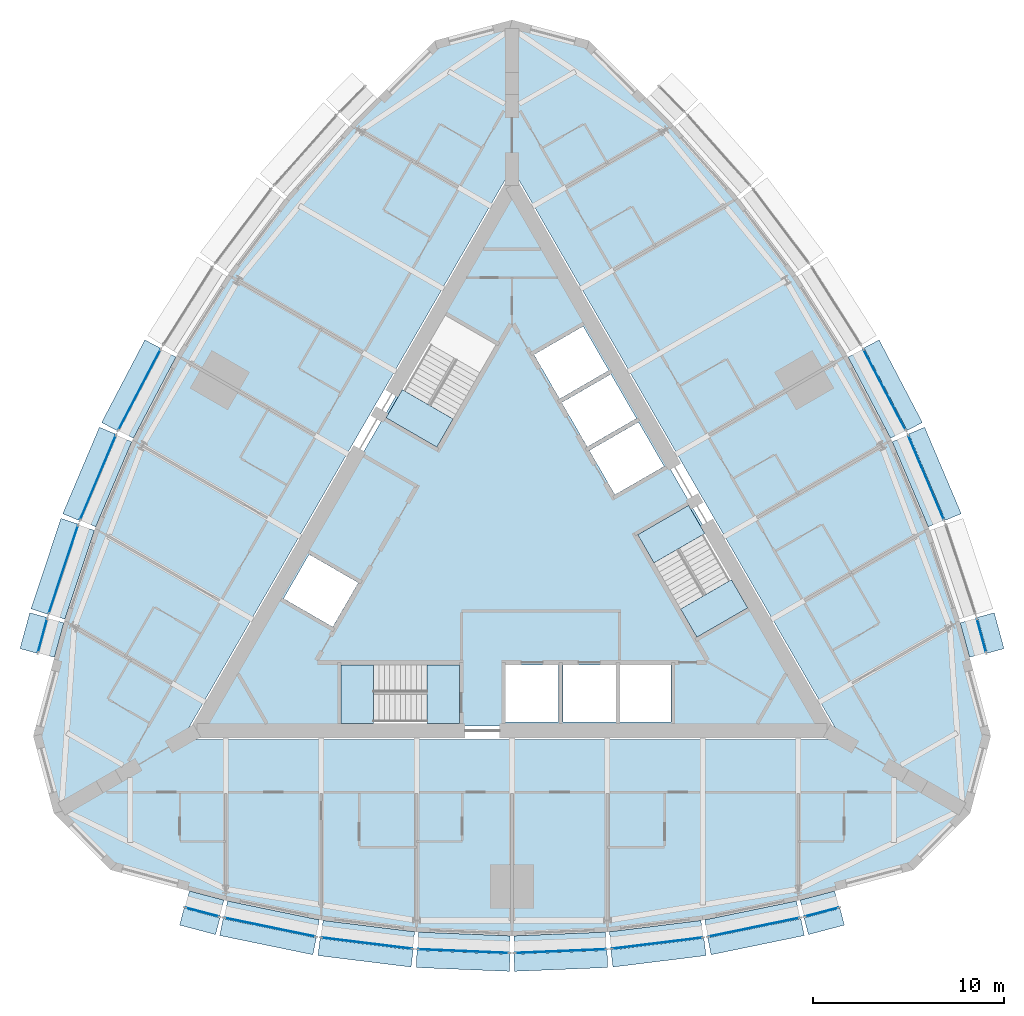
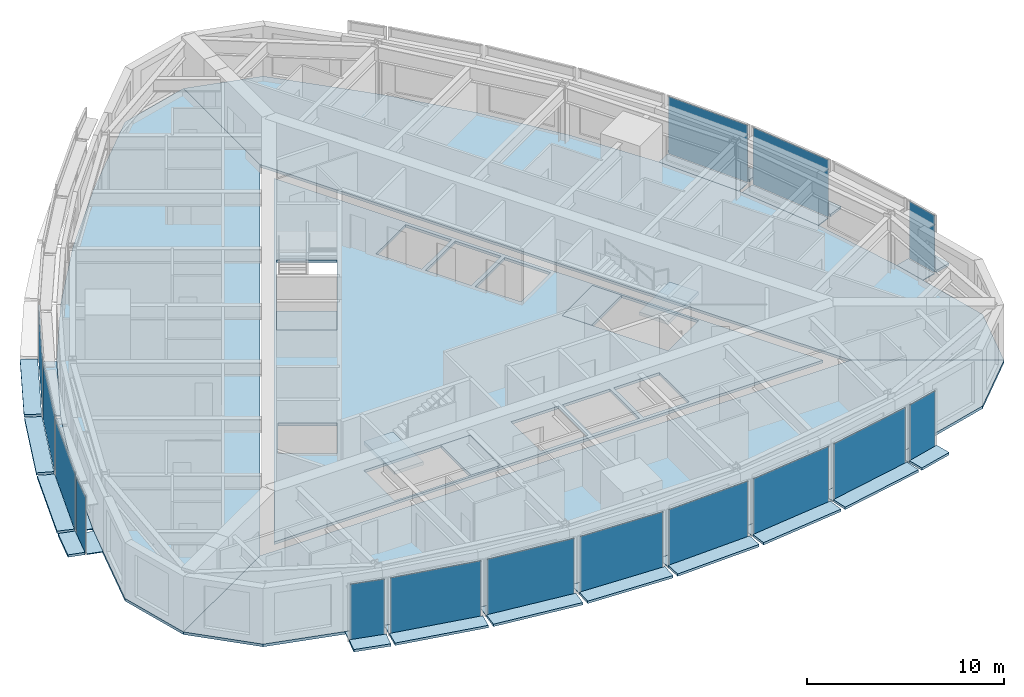
# One storey, part 7 of 15: 45 plates, 9 slabs, 18 elements without a shape of their own.
"""IFC4 building model written with IfcOpenShell, lengths in metres."""

from ifc_helpers import new_model, si_unit, direction, frame, origin, origin_2d, place, context, subcontext, project, spatial, polyline, rectangle, outline, extrude, material, layer, layer_set, type_object, element, aggregate, save


model = new_model("IFC4")

# Units and contexts
model_context = context("Model", 3, precision=1e-05, world=origin(), true_north=direction((0.0, 1.0)))
body_context = subcontext(model_context, "Body", "Model", "MODEL_VIEW")
ifc_project = project(units=[si_unit("LENGTHUNIT", "METRE"), si_unit("AREAUNIT", "SQUARE_METRE"), si_unit("VOLUMEUNIT", "CUBIC_METRE"), si_unit("PLANEANGLEUNIT", "RADIAN"), si_unit("MASSUNIT", "GRAM", prefix="KILO")], contexts=[model_context])

# Site, building, storey
site_placement = place(None, origin())
site = spatial("IfcSite", under=ifc_project, at=site_placement, CompositionType="ELEMENT")
building_placement = place(site_placement, origin())
building = spatial("IfcBuilding", under=site, at=building_placement, Name="Trikona Tower", CompositionType="ELEMENT")
storey_placement = place(building_placement, frame((0.0, 0.0, 204.5)))
storey = spatial("IfcBuildingStorey", under=building, at=storey_placement, Name="L54", CompositionType="ELEMENT", Elevation=204.5)

# Plates
ifc_material_1 = material(Name="Aluminium bar grating", Category="aluminium")
ifc_layer_1 = layer(ifc_material_1, 0.050048828125)
ifc_layer_set_1 = layer_set([ifc_layer_1], Name="Cavity catwalk grating")
plate_type_1 = type_object("IfcPlateType", Name="Cavity catwalk grating", PredefinedType="USERDEFINED", material=ifc_layer_set_1)
plate_1_placement = place(storey_placement, frame((-16.10693359375, -18.5673828125, -0.0498046875), z_axis=(0.0, 0.0, 1.0), x_axis=(0.966993038714, -0.254802792527, 0.0)))
element("IfcPlate", 1, at=plate_1_placement, inside=storey, type_object=plate_type_1, Name="Cavity catwalk L54-00", ObjectType="CATWALK GRATING", PredefinedType="USERDEFINED", context=body_context, shape_type="SweptSolid", body=[
    extrude(rectangle(XDim=1.868408203125, YDim=0.840087890625, at=origin_2d()), origin(), (0.0, 0.0, 1.0), 0.050048828125),
])
plate_2_placement = place(storey_placement, frame((-12.584716796875, -19.35107421875, -0.0498046875), z_axis=(0.0, 0.0, 1.0), x_axis=(0.979457514864, -0.201650629992, 0.0)))
element("IfcPlate", 2, at=plate_2_placement, inside=storey, type_object=plate_type_1, Name="Cavity catwalk L54-01", ObjectType="CATWALK GRATING", PredefinedType="USERDEFINED", context=body_context, shape_type="SweptSolid", body=[
    extrude(rectangle(XDim=4.90478515625, YDim=0.840087890625, at=origin_2d()), origin(), (0.0, 0.0, 1.0), 0.050048828125),
])
plate_3_placement = place(storey_placement, frame((-7.551513671875, -20.179931640625, -0.0498046875), z_axis=(0.0, 0.0, 1.0), x_axis=(0.992455266199, -0.122607277901, 0.0)))
element("IfcPlate", 3, at=plate_3_placement, inside=storey, type_object=plate_type_1, Name="Cavity catwalk L54-02", ObjectType="CATWALK GRATING", PredefinedType="USERDEFINED", context=body_context, shape_type="SweptSolid", body=[
    extrude(rectangle(XDim=4.837890625, YDim=0.840087890625, at=origin_2d()), origin(), (0.0, 0.0, 1.0), 0.050048828125),
])
for number, where, z_axis, x_axis, name in (
    (4, (-2.517333984375, -20.594482421875, -0.0498046875), (0.0, 0.0, 1.0), (0.999153186307, -0.041144991109, 0.0), "Cavity catwalk L54-03"),
    (5, (2.517333984375, -20.594482421875, -0.0498046875), (0.0, 0.0, 1.0), (0.999153186307, 0.041144991109, 0.0), "Cavity catwalk L54-04"),
):
    element("IfcPlate", number, at=place(storey_placement, frame(where, z_axis=z_axis, x_axis=x_axis)), inside=storey, type_object=plate_type_1, Name=name, ObjectType="CATWALK GRATING", PredefinedType="USERDEFINED", context=body_context, shape_type="SweptSolid", body=[
        extrude(rectangle(XDim=4.80419921875, YDim=0.840087890625, at=origin_2d()), origin(), (0.0, 0.0, 1.0), 0.050048828125),
    ])
plate_4_placement = place(storey_placement, frame((7.551513671875, -20.179931640625, -0.0498046875), z_axis=(0.0, 0.0, 1.0), x_axis=(0.992455266199, 0.122607277901, 0.0)))
element("IfcPlate", 6, at=plate_4_placement, inside=storey, type_object=plate_type_1, Name="Cavity catwalk L54-05", ObjectType="CATWALK GRATING", PredefinedType="USERDEFINED", context=body_context, shape_type="SweptSolid", body=[
    extrude(rectangle(XDim=4.837890625, YDim=0.840087890625, at=origin_2d()), origin(), (0.0, 0.0, 1.0), 0.050048828125),
])
plate_5_placement = place(storey_placement, frame((12.584716796875, -19.35107421875, -0.0498046875), z_axis=(0.0, 0.0, 1.0), x_axis=(0.979457514864, 0.201650629992, 0.0)))
element("IfcPlate", 7, at=plate_5_placement, inside=storey, type_object=plate_type_1, Name="Cavity catwalk L54-06", ObjectType="CATWALK GRATING", PredefinedType="USERDEFINED", context=body_context, shape_type="SweptSolid", body=[
    extrude(rectangle(XDim=4.90478515625, YDim=0.840087890625, at=origin_2d()), origin(), (0.0, 0.0, 1.0), 0.050048828125),
])
for number, where, z_axis, x_axis, name in (
    (8, (16.10693359375, -18.5673828125, -0.0498046875), (0.0, 0.0, 1.0), (0.966993038714, 0.254802792527, 0.0), "Cavity catwalk L54-07"),
    (9, (24.13330078125, -4.665283203125, -0.0498046875), (0.0, 0.0, 1.0), (-0.262822408229, 0.964844226667, 0.0), "Cavity catwalk L54-12"),
):
    element("IfcPlate", number, at=place(storey_placement, frame(where, z_axis=z_axis, x_axis=x_axis)), inside=storey, type_object=plate_type_1, Name=name, ObjectType="CATWALK GRATING", PredefinedType="USERDEFINED", context=body_context, shape_type="SweptSolid", body=[
        extrude(rectangle(XDim=1.868408203125, YDim=0.840087890625, at=origin_2d()), origin(), (0.0, 0.0, 1.0), 0.050048828125),
    ])
plate_6_placement = place(storey_placement, frame((21.252197265625, 3.55029296875, -0.0498046875), z_axis=(0.0, 0.0, 1.0), x_axis=(-0.390051437015, 0.920793069306, 0.0)))
element("IfcPlate", 10, at=plate_6_placement, inside=storey, type_object=plate_type_1, Name="Cavity catwalk L54-14", ObjectType="CATWALK GRATING", PredefinedType="USERDEFINED", context=body_context, shape_type="SweptSolid", body=[
    extrude(rectangle(XDim=4.837890625, YDim=0.840087890625, at=origin_2d()), origin(), (0.0, 0.0, 1.0), 0.050048828125),
])
for number, where, z_axis, x_axis, name in (
    (11, (19.093994140625, 8.1171875, -0.0498046875), (0.0, 0.0, 1.0), (-0.463951716224, 0.885860488459, 0.0), "Cavity catwalk L54-15"),
    (12, (-19.093994140625, 8.1171875, -0.0498046875), (0.0, 0.0, 1.0), (-0.463951716224, -0.885860488459, 0.0), "Cavity catwalk L54-28"),
):
    element("IfcPlate", number, at=place(storey_placement, frame(where, z_axis=z_axis, x_axis=x_axis)), inside=storey, type_object=plate_type_1, Name=name, ObjectType="CATWALK GRATING", PredefinedType="USERDEFINED", context=body_context, shape_type="SweptSolid", body=[
        extrude(rectangle(XDim=4.80419921875, YDim=0.840087890625, at=origin_2d()), origin(), (0.0, 0.0, 1.0), 0.050048828125),
    ])
plate_7_placement = place(storey_placement, frame((-21.252197265625, 3.55029296875, -0.0498046875), z_axis=(0.0, 0.0, 1.0), x_axis=(-0.390051437015, -0.920793069306, 0.0)))
element("IfcPlate", 13, at=plate_7_placement, inside=storey, type_object=plate_type_1, Name="Cavity catwalk L54-29", ObjectType="CATWALK GRATING", PredefinedType="USERDEFINED", context=body_context, shape_type="SweptSolid", body=[
    extrude(rectangle(XDim=4.837890625, YDim=0.840087890625, at=origin_2d()), origin(), (0.0, 0.0, 1.0), 0.050048828125),
])
plate_8_placement = place(storey_placement, frame((-23.05078125, -1.22314453125, -0.0498046875), z_axis=(0.0, 0.0, 1.0), x_axis=(-0.315092532747, -0.949060954737, 0.0)))
element("IfcPlate", 14, at=plate_8_placement, inside=storey, type_object=plate_type_1, Name="Cavity catwalk L54-30", ObjectType="CATWALK GRATING", PredefinedType="USERDEFINED", context=body_context, shape_type="SweptSolid", body=[
    extrude(rectangle(XDim=4.90478515625, YDim=0.840087890625, at=origin_2d()), origin(), (0.0, 0.0, 1.0), 0.050048828125),
])
plate_9_placement = place(storey_placement, frame((-24.13330078125, -4.665283203125, -0.0498046875), z_axis=(0.0, 0.0, 1.0), x_axis=(-0.262822408229, -0.964844226667, 0.0)))
element("IfcPlate", 15, at=plate_9_placement, inside=storey, type_object=plate_type_1, Name="Cavity catwalk L54-31", ObjectType="CATWALK GRATING", PredefinedType="USERDEFINED", context=body_context, shape_type="SweptSolid", body=[
    extrude(rectangle(XDim=1.868408203125, YDim=0.840087890625, at=origin_2d()), origin(), (0.0, 0.0, 1.0), 0.050048828125),
])

# Slabs
ifc_material_2 = material(Name="Concrete f'c 5000 psi lightweight on composite steel deck", Category="concrete")
ifc_layer_2 = layer(ifc_material_2, 0.1650390625)
ifc_layer_set_2 = layer_set([ifc_layer_2], Name="Composite floor slab 165")
slab_type_1 = type_object("IfcSlabType", Name="Composite floor slab 165", PredefinedType="FLOOR", material=ifc_layer_set_2)
slab_1_placement = place(storey_placement, frame((0.0, 0.0, -0.1650390625)))
element("IfcSlab", 16, at=slab_1_placement, inside=storey, type_object=slab_type_1, Name="Floor slab L54 core", PredefinedType="FLOOR", context=body_context, shape_type="SweptSolid", body=[
    extrude(outline(polyline([(-16.06689453125, -9.2763671875), (16.06689453125, -9.2763671875), (0.0, 18.552490234375), (-16.06689453125, -9.2763671875)]), holes=[polyline([(6.587158203125, 0.7431640625), (9.687255859375, -4.626220703125), (12.35009765625, -3.088623046875), (9.250244140625, 2.28076171875), (6.587158203125, 0.7431640625)]), polyline([(5.659912109375, -6.086181640625), (5.659912109375, -9.06640625), (8.340087890625, -9.06640625), (8.340087890625, -6.086181640625), (5.659912109375, -6.086181640625)]), polyline([(6.631591796875, 6.646240234375), (4.05078125, 5.15625), (5.390869140625, 2.835205078125), (7.9716796875, 4.3251953125), (6.631591796875, 6.646240234375)]), polyline([(6.521484375, 6.8369140625), (5.181640625, 9.15771484375), (2.600830078125, 7.667724609375), (3.94091796875, 5.3466796875), (6.521484375, 6.8369140625)]), polyline([(2.659912109375, -9.06640625), (5.43994140625, -9.06640625), (5.43994140625, -6.086181640625), (2.659912109375, -6.086181640625), (2.659912109375, -9.06640625)]), polyline([(2.490966796875, 7.858154296875), (5.071533203125, 9.34814453125), (3.731689453125, 11.669189453125), (1.15087890625, 10.17919921875), (2.490966796875, 7.858154296875)]), polyline([(2.43994140625, -9.06640625), (2.43994140625, -6.086181640625), (-0.340087890625, -6.086181640625), (-0.340087890625, -9.06640625), (2.43994140625, -9.06640625)]), polyline([(-3.937255859375, 5.3330078125), (-0.837158203125, 10.702392578125), (-3.500244140625, 12.239990234375), (-6.60009765625, 6.87060546875), (-3.937255859375, 5.3330078125)]), polyline([(-2.75, -6.076416015625), (-8.949951171875, -6.076416015625), (-8.949951171875, -9.1513671875), (-2.75, -9.1513671875), (-2.75, -6.076416015625)]), polyline([(-11.9716796875, -2.602783203125), (-9.390869140625, -4.093017578125), (-8.05078125, -1.77197265625), (-10.631591796875, -0.281982421875), (-11.9716796875, -2.602783203125)])]), origin(), (0.0, 0.0, 1.0), 0.1650390625),
])
slab_2_placement = place(storey_placement, frame((0.0, 0.0, -0.1650390625)))
element("IfcSlab", 17, at=slab_2_placement, inside=storey, type_object=slab_type_1, Name="Floor slab L54 south", PredefinedType="FLOOR", context=body_context, shape_type="SweptSolid", body=[
    extrude(outline(polyline([(21.04150390625, -16.81494140625), (24.0, -13.8564453125), (17.279296875, -9.976318359375), (-17.279296875, -9.976318359375), (-24.0, -13.8564453125), (-21.04150390625, -16.81494140625), (-17.0, -17.89794921875), (-15.0, -18.4248046875), (-10.0, -19.454345703125), (-5.0, -20.072021484375), (0.0, -20.27783203125), (5.0, -20.072021484375), (10.0, -19.454345703125), (15.0, -18.4248046875), (17.0, -17.89794921875), (21.04150390625, -16.81494140625)])), origin(), (0.0, 0.0, 1.0), 0.1650390625),
])
slab_3_placement = place(storey_placement, frame((0.0, 0.0, -0.1650390625)))
element("IfcSlab", 18, at=slab_3_placement, inside=storey, type_object=slab_type_1, Name="Floor slab L54 north-east", PredefinedType="FLOOR", context=body_context, shape_type="SweptSolid", body=[
    extrude(outline(polyline([(4.04150390625, 26.6298828125), (0.0, 27.712890625), (0.0, 19.95263671875), (17.279296875, -9.976318359375), (24.0, -13.8564453125), (25.0830078125, -9.81494140625), (24.0, -5.7734375), (23.456298828125, -3.77783203125), (21.847900390625, 1.06689453125), (19.8828125, 5.705810546875), (17.56103515625, 10.138916015625), (14.8828125, 14.3662109375), (11.847900390625, 18.387451171875), (8.456298828125, 22.202880859375), (7.0, 23.67138671875), (4.04150390625, 26.6298828125)])), origin(), (0.0, 0.0, 1.0), 0.1650390625),
])
slab_4_placement = place(storey_placement, frame((0.0, 0.0, -0.1650390625)))
element("IfcSlab", 19, at=slab_4_placement, inside=storey, type_object=slab_type_1, Name="Floor slab L54 north-west", PredefinedType="FLOOR", context=body_context, shape_type="SweptSolid", body=[
    extrude(outline(polyline([(-7.0, 23.67138671875), (-8.456298828125, 22.202880859375), (-11.847900390625, 18.387451171875), (-14.8828125, 14.3662109375), (-17.56103515625, 10.138916015625), (-19.8828125, 5.705810546875), (-21.847900390625, 1.06689453125), (-23.456298828125, -3.77783203125), (-24.0, -5.7734375), (-25.0830078125, -9.81494140625), (-24.0, -13.8564453125), (-17.279296875, -9.976318359375), (0.0, 19.95263671875), (0.0, 27.712890625), (-4.04150390625, 26.6298828125), (-7.0, 23.67138671875)])), origin(), (0.0, 0.0, 1.0), 0.1650390625),
])

# Curtain wall, plate
ifc_material_3 = material(Name="Aluminium curtain wall system", Category="aluminium")
curtain_wall_type = type_object("IfcCurtainWallType", Name="Curtain wall DS3", PredefinedType="NOTDEFINED", material=ifc_material_3)
curtain_wall_1_placement = place(storey_placement, origin())
curtain_wall_1 = element("IfcCurtainWall", 20, at=curtain_wall_1_placement, inside=storey, type_object=curtain_wall_type, Name="Curtain wall DS3 L54", PredefinedType="NOTDEFINED")
ifc_material_4 = material(Name="Laminated clear glass", Category="glass")
ifc_layer_3 = layer(ifc_material_4, 0.028076171875)
ifc_layer_set_3 = layer_set([ifc_layer_3], Name="Glass panel DS3")
plate_type_2 = type_object("IfcPlateType", Name="Glass panel DS3", PredefinedType="CURTAIN_PANEL", material=ifc_layer_set_3)
plate_10_placement = place(storey_placement, frame((-16.229248046875, -19.03173828125, 0.0), z_axis=(0.0, 0.0, 1.0), x_axis=(0.966997369647, -0.25478635579, 0.0)))
plate_10 = element("IfcPlate", 21, at=plate_10_placement, type_object=plate_type_2, Name="CW-DS3 panel 1.1", PredefinedType="CURTAIN_PANEL", context=body_context, shape_type="SweptSolid", body=[
    extrude(rectangle(XDim=1.808349609375, YDim=0.028076171875, at=origin_2d()), origin(), (0.0, 0.0, 1.0), 3.530029296875),
])
aggregate(curtain_wall_1, [plate_10])

curtain_wall_2_placement = place(storey_placement, origin())
curtain_wall_2 = element("IfcCurtainWall", 22, at=curtain_wall_2_placement, inside=storey, type_object=curtain_wall_type, Name="Curtain wall DS3 L54", PredefinedType="NOTDEFINED")
plate_11_placement = place(storey_placement, frame((-12.681396484375, -19.821044921875, 0.0), z_axis=(0.0, 0.0, 1.0), x_axis=(0.979457043256, -0.201652920672, 0.0)))
plate_11 = element("IfcPlate", 23, at=plate_11_placement, type_object=plate_type_2, Name="CW-DS3 panel 1.1", PredefinedType="CURTAIN_PANEL", context=body_context, shape_type="SweptSolid", body=[
    extrude(rectangle(XDim=4.8447265625, YDim=0.028076171875, at=origin_2d()), origin(), (0.0, 0.0, 1.0), 3.530029296875),
])
aggregate(curtain_wall_2, [plate_11])

curtain_wall_3_placement = place(storey_placement, origin())
curtain_wall_3 = element("IfcCurtainWall", 24, at=curtain_wall_3_placement, inside=storey, type_object=curtain_wall_type, Name="Curtain wall DS3 L54", PredefinedType="NOTDEFINED")
plate_12_placement = place(storey_placement, frame((-7.6103515625, -20.656494140625, 0.0), z_axis=(0.0, 0.0, 1.0), x_axis=(0.992454850785, -0.122610640458, 0.0)))
plate_12 = element("IfcPlate", 25, at=plate_12_placement, type_object=plate_type_2, Name="CW-DS3 panel 1.1", PredefinedType="CURTAIN_PANEL", context=body_context, shape_type="SweptSolid", body=[
    extrude(rectangle(XDim=4.778076171875, YDim=0.028076171875, at=origin_2d()), origin(), (0.0, 0.0, 1.0), 3.530029296875),
])
aggregate(curtain_wall_3, [plate_12])

curtain_wall_4_placement = place(storey_placement, origin())
curtain_wall_4 = element("IfcCurtainWall", 26, at=curtain_wall_4_placement, inside=storey, type_object=curtain_wall_type, Name="Curtain wall DS3 L54", PredefinedType="NOTDEFINED")
plate_13_placement = place(storey_placement, frame((-2.537109375, -21.07421875, 0.0), z_axis=(0.0, 0.0, 1.0), x_axis=(0.999152865157, -0.04115278907, 0.0)))
plate_13 = element("IfcPlate", 27, at=plate_13_placement, type_object=plate_type_2, Name="CW-DS3 panel 1.1", PredefinedType="CURTAIN_PANEL", context=body_context, shape_type="SweptSolid", body=[
    extrude(rectangle(XDim=4.744140625, YDim=0.028076171875, at=origin_2d()), origin(), (0.0, 0.0, 1.0), 3.530029296875),
])
aggregate(curtain_wall_4, [plate_13])

curtain_wall_5_placement = place(storey_placement, origin())
curtain_wall_5 = element("IfcCurtainWall", 28, at=curtain_wall_5_placement, inside=storey, type_object=curtain_wall_type, Name="Curtain wall DS3 L54", PredefinedType="NOTDEFINED")
plate_14_placement = place(storey_placement, frame((2.537109375, -21.07421875, 0.0), z_axis=(0.0, 0.0, 1.0), x_axis=(0.999152865157, 0.04115278907, 0.0)))
plate_14 = element("IfcPlate", 29, at=plate_14_placement, type_object=plate_type_2, Name="CW-DS3 panel 1.1", PredefinedType="CURTAIN_PANEL", context=body_context, shape_type="SweptSolid", body=[
    extrude(rectangle(XDim=4.744140625, YDim=0.028076171875, at=origin_2d()), origin(), (0.0, 0.0, 1.0), 3.530029296875),
])
aggregate(curtain_wall_5, [plate_14])

curtain_wall_6_placement = place(storey_placement, origin())
curtain_wall_6 = element("IfcCurtainWall", 30, at=curtain_wall_6_placement, inside=storey, type_object=curtain_wall_type, Name="Curtain wall DS3 L54", PredefinedType="NOTDEFINED")
plate_15_placement = place(storey_placement, frame((7.6103515625, -20.656494140625, 0.0), z_axis=(0.0, 0.0, 1.0), x_axis=(0.992454850785, 0.122610640458, 0.0)))
plate_15 = element("IfcPlate", 31, at=plate_15_placement, type_object=plate_type_2, Name="CW-DS3 panel 1.1", PredefinedType="CURTAIN_PANEL", context=body_context, shape_type="SweptSolid", body=[
    extrude(rectangle(XDim=4.778076171875, YDim=0.028076171875, at=origin_2d()), origin(), (0.0, 0.0, 1.0), 3.530029296875),
])
aggregate(curtain_wall_6, [plate_15])

curtain_wall_7_placement = place(storey_placement, origin())
curtain_wall_7 = element("IfcCurtainWall", 32, at=curtain_wall_7_placement, inside=storey, type_object=curtain_wall_type, Name="Curtain wall DS3 L54", PredefinedType="NOTDEFINED")
plate_16_placement = place(storey_placement, frame((12.681396484375, -19.821044921875, 0.0), z_axis=(0.0, 0.0, 1.0), x_axis=(0.979457043256, 0.201652920672, 0.0)))
plate_16 = element("IfcPlate", 33, at=plate_16_placement, type_object=plate_type_2, Name="CW-DS3 panel 1.1", PredefinedType="CURTAIN_PANEL", context=body_context, shape_type="SweptSolid", body=[
    extrude(rectangle(XDim=4.8447265625, YDim=0.028076171875, at=origin_2d()), origin(), (0.0, 0.0, 1.0), 3.530029296875),
])
aggregate(curtain_wall_7, [plate_16])

curtain_wall_8_placement = place(storey_placement, origin())
curtain_wall_8 = element("IfcCurtainWall", 34, at=curtain_wall_8_placement, inside=storey, type_object=curtain_wall_type, Name="Curtain wall DS3 L54", PredefinedType="NOTDEFINED")
plate_17_placement = place(storey_placement, frame((16.229248046875, -19.03173828125, 0.0), z_axis=(0.0, 0.0, 1.0), x_axis=(0.966997369647, 0.25478635579, 0.0)))
plate_17 = element("IfcPlate", 35, at=plate_17_placement, type_object=plate_type_2, Name="CW-DS3 panel 1.1", PredefinedType="CURTAIN_PANEL", context=body_context, shape_type="SweptSolid", body=[
    extrude(rectangle(XDim=1.808349609375, YDim=0.028076171875, at=origin_2d()), origin(), (0.0, 0.0, 1.0), 3.530029296875),
])
aggregate(curtain_wall_8, [plate_17])

curtain_wall_9_placement = place(storey_placement, origin())
curtain_wall_9 = element("IfcCurtainWall", 36, at=curtain_wall_9_placement, inside=storey, type_object=curtain_wall_type, Name="Curtain wall DS3 L54", PredefinedType="NOTDEFINED")
plate_18_placement = place(storey_placement, frame((24.596435546875, -4.539306640625, 0.0), z_axis=(0.0, 0.0, 1.0), x_axis=(-0.262843784676, 0.964838403494, 0.0)))
plate_18 = element("IfcPlate", 37, at=plate_18_placement, type_object=plate_type_2, Name="CW-DS3 panel 1.1", PredefinedType="CURTAIN_PANEL", context=body_context, shape_type="SweptSolid", body=[
    extrude(rectangle(XDim=1.808349609375, YDim=0.028076171875, at=origin_2d()), origin(), (0.0, 0.0, 1.0), 3.530029296875),
])
aggregate(curtain_wall_9, [plate_18])

curtain_wall_10_placement = place(storey_placement, origin())
curtain_wall_10 = element("IfcCurtainWall", 38, at=curtain_wall_10_placement, inside=storey, type_object=curtain_wall_type, Name="Curtain wall DS3 L54", PredefinedType="NOTDEFINED")
plate_19_placement = place(storey_placement, frame((21.694091796875, 3.737548828125, 0.0), z_axis=(0.0, 0.0, 1.0), x_axis=(-0.390053199266, 0.920792322808, 0.0)))
plate_19 = element("IfcPlate", 39, at=plate_19_placement, type_object=plate_type_2, Name="CW-DS3 panel 1.1", PredefinedType="CURTAIN_PANEL", context=body_context, shape_type="SweptSolid", body=[
    extrude(rectangle(XDim=4.778076171875, YDim=0.028076171875, at=origin_2d()), origin(), (0.0, 0.0, 1.0), 3.530029296875),
])
aggregate(curtain_wall_10, [plate_19])

curtain_wall_11_placement = place(storey_placement, origin())
curtain_wall_11 = element("IfcCurtainWall", 40, at=curtain_wall_11_placement, inside=storey, type_object=curtain_wall_type, Name="Curtain wall DS3 L54", PredefinedType="NOTDEFINED")
plate_20_placement = place(storey_placement, frame((19.519287109375, 8.33984375, 0.0), z_axis=(0.0, 0.0, 1.0), x_axis=(-0.463948084434, 0.885862390527, 0.0)))
plate_20 = element("IfcPlate", 41, at=plate_20_placement, type_object=plate_type_2, Name="CW-DS3 panel 1.1", PredefinedType="CURTAIN_PANEL", context=body_context, shape_type="SweptSolid", body=[
    extrude(rectangle(XDim=4.744140625, YDim=0.028076171875, at=origin_2d()), origin(), (0.0, 0.0, 1.0), 3.530029296875),
])
aggregate(curtain_wall_11, [plate_20])

curtain_wall_12_placement = place(storey_placement, origin())
curtain_wall_12 = element("IfcCurtainWall", 42, at=curtain_wall_12_placement, inside=storey, type_object=curtain_wall_type, Name="Curtain wall DS3 L54", PredefinedType="NOTDEFINED")
plate_21_placement = place(storey_placement, frame((-19.519287109375, 8.33984375, 0.0), z_axis=(0.0, 0.0, 1.0), x_axis=(-0.463948084434, -0.885862390527, 0.0)))
plate_21 = element("IfcPlate", 43, at=plate_21_placement, type_object=plate_type_2, Name="CW-DS3 panel 1.1", PredefinedType="CURTAIN_PANEL", context=body_context, shape_type="SweptSolid", body=[
    extrude(rectangle(XDim=4.744140625, YDim=0.028076171875, at=origin_2d()), origin(), (0.0, 0.0, 1.0), 3.530029296875),
])
aggregate(curtain_wall_12, [plate_21])

curtain_wall_13_placement = place(storey_placement, origin())
curtain_wall_13 = element("IfcCurtainWall", 44, at=curtain_wall_13_placement, inside=storey, type_object=curtain_wall_type, Name="Curtain wall DS3 L54", PredefinedType="NOTDEFINED")
plate_22_placement = place(storey_placement, frame((-21.694091796875, 3.737548828125, 0.0), z_axis=(0.0, 0.0, 1.0), x_axis=(-0.390053199266, -0.920792322808, 0.0)))
plate_22 = element("IfcPlate", 45, at=plate_22_placement, type_object=plate_type_2, Name="CW-DS3 panel 1.1", PredefinedType="CURTAIN_PANEL", context=body_context, shape_type="SweptSolid", body=[
    extrude(rectangle(XDim=4.778076171875, YDim=0.028076171875, at=origin_2d()), origin(), (0.0, 0.0, 1.0), 3.530029296875),
])
aggregate(curtain_wall_13, [plate_22])

curtain_wall_14_placement = place(storey_placement, origin())
curtain_wall_14 = element("IfcCurtainWall", 46, at=curtain_wall_14_placement, inside=storey, type_object=curtain_wall_type, Name="Curtain wall DS3 L54", PredefinedType="NOTDEFINED")
plate_23_placement = place(storey_placement, frame((-23.50634765625, -1.072021484375, 0.0), z_axis=(0.0, 0.0, 1.0), x_axis=(-0.315078038687, -0.949065766708, 0.0)))
plate_23 = element("IfcPlate", 47, at=plate_23_placement, type_object=plate_type_2, Name="CW-DS3 panel 1.1", PredefinedType="CURTAIN_PANEL", context=body_context, shape_type="SweptSolid", body=[
    extrude(rectangle(XDim=4.8447265625, YDim=0.028076171875, at=origin_2d()), origin(), (0.0, 0.0, 1.0), 3.530029296875),
])
aggregate(curtain_wall_14, [plate_23])

curtain_wall_15_placement = place(storey_placement, origin())
curtain_wall_15 = element("IfcCurtainWall", 48, at=curtain_wall_15_placement, inside=storey, type_object=curtain_wall_type, Name="Curtain wall DS3 L54", PredefinedType="NOTDEFINED")
plate_24_placement = place(storey_placement, frame((-24.596435546875, -4.539306640625, 0.0), z_axis=(0.0, 0.0, 1.0), x_axis=(-0.262843784676, -0.964838403494, 0.0)))
plate_24 = element("IfcPlate", 49, at=plate_24_placement, type_object=plate_type_2, Name="CW-DS3 panel 1.1", PredefinedType="CURTAIN_PANEL", context=body_context, shape_type="SweptSolid", body=[
    extrude(rectangle(XDim=1.808349609375, YDim=0.028076171875, at=origin_2d()), origin(), (0.0, 0.0, 1.0), 3.530029296875),
])
aggregate(curtain_wall_15, [plate_24])

# Plates
ifc_material_5 = material(Name="Aluminium plate fin, pale anodised, on stainless steel outriggers", Category="steel")
ifc_layer_4 = layer(ifc_material_5, 0.14990234375)
ifc_layer_set_4 = layer_set([ifc_layer_4], Name="Outer skin fin 900")
plate_type_3 = type_object("IfcPlateType", Name="Outer skin fin 900", PredefinedType="USERDEFINED", material=ifc_layer_set_4)
plate_25_placement = place(storey_placement, frame((-16.359375, -19.52490234375, 0.0), z_axis=(0.0, 0.0, 1.0), x_axis=(0.966993038714, -0.254802792527, 0.0)))
element("IfcPlate", 50, at=plate_25_placement, inside=storey, type_object=plate_type_3, Name="Outer skin fin L54-00", ObjectType="FIN", PredefinedType="USERDEFINED", context=body_context, shape_type="SweptSolid", body=[
    extrude(rectangle(XDim=1.9482421875, YDim=0.89990234375, at=origin_2d()), origin(), (0.0, 0.0, 1.0), 0.14990234375),
])
plate_26_placement = place(storey_placement, frame((-12.7841796875, -20.320556640625, 0.0), z_axis=(0.0, 0.0, 1.0), x_axis=(0.979457514864, -0.201650629992, 0.0)))
element("IfcPlate", 51, at=plate_26_placement, inside=storey, type_object=plate_type_3, Name="Outer skin fin L54-01", ObjectType="FIN", PredefinedType="USERDEFINED", context=body_context, shape_type="SweptSolid", body=[
    extrude(rectangle(XDim=4.98486328125, YDim=0.89990234375, at=origin_2d()), origin(), (0.0, 0.0, 1.0), 0.14990234375),
])
plate_27_placement = place(storey_placement, frame((-7.6728515625, -21.16259765625, 0.0), z_axis=(0.0, 0.0, 1.0), x_axis=(0.992455266199, -0.122607277901, 0.0)))
element("IfcPlate", 52, at=plate_27_placement, inside=storey, type_object=plate_type_3, Name="Outer skin fin L54-02", ObjectType="FIN", PredefinedType="USERDEFINED", context=body_context, shape_type="SweptSolid", body=[
    extrude(rectangle(XDim=4.91796875, YDim=0.89990234375, at=origin_2d()), origin(), (0.0, 0.0, 1.0), 0.14990234375),
])
for number, where, z_axis, x_axis, name in (
    (53, (-2.55810546875, -21.583740234375, 0.0), (0.0, 0.0, 1.0), (0.999153186307, -0.041144991109, 0.0), "Outer skin fin L54-03"),
    (54, (2.55810546875, -21.583740234375, 0.0), (0.0, 0.0, 1.0), (0.999153186307, 0.041144991109, 0.0), "Outer skin fin L54-04"),
):
    element("IfcPlate", number, at=place(storey_placement, frame(where, z_axis=z_axis, x_axis=x_axis)), inside=storey, type_object=plate_type_3, Name=name, ObjectType="FIN", PredefinedType="USERDEFINED", context=body_context, shape_type="SweptSolid", body=[
        extrude(rectangle(XDim=4.88427734375, YDim=0.89990234375, at=origin_2d()), origin(), (0.0, 0.0, 1.0), 0.14990234375),
    ])
plate_28_placement = place(storey_placement, frame((7.6728515625, -21.16259765625, 0.0), z_axis=(0.0, 0.0, 1.0), x_axis=(0.992455266199, 0.122607277901, 0.0)))
element("IfcPlate", 55, at=plate_28_placement, inside=storey, type_object=plate_type_3, Name="Outer skin fin L54-05", ObjectType="FIN", PredefinedType="USERDEFINED", context=body_context, shape_type="SweptSolid", body=[
    extrude(rectangle(XDim=4.91796875, YDim=0.89990234375, at=origin_2d()), origin(), (0.0, 0.0, 1.0), 0.14990234375),
])
plate_29_placement = place(storey_placement, frame((12.7841796875, -20.320556640625, 0.0), z_axis=(0.0, 0.0, 1.0), x_axis=(0.979457514864, 0.201650629992, 0.0)))
element("IfcPlate", 56, at=plate_29_placement, inside=storey, type_object=plate_type_3, Name="Outer skin fin L54-06", ObjectType="FIN", PredefinedType="USERDEFINED", context=body_context, shape_type="SweptSolid", body=[
    extrude(rectangle(XDim=4.98486328125, YDim=0.89990234375, at=origin_2d()), origin(), (0.0, 0.0, 1.0), 0.14990234375),
])
for number, where, z_axis, x_axis, name in (
    (57, (16.359375, -19.52490234375, 0.0), (0.0, 0.0, 1.0), (0.966993038714, 0.254802792527, 0.0), "Outer skin fin L54-07"),
    (58, (25.088623046875, -4.405029296875, 0.0), (0.0, 0.0, 1.0), (-0.262822408229, 0.964844226667, 0.0), "Outer skin fin L54-12"),
):
    element("IfcPlate", number, at=place(storey_placement, frame(where, z_axis=z_axis, x_axis=x_axis)), inside=storey, type_object=plate_type_3, Name=name, ObjectType="FIN", PredefinedType="USERDEFINED", context=body_context, shape_type="SweptSolid", body=[
        extrude(rectangle(XDim=1.9482421875, YDim=0.89990234375, at=origin_2d()), origin(), (0.0, 0.0, 1.0), 0.14990234375),
    ])
plate_30_placement = place(storey_placement, frame((22.163818359375, 3.936279296875, 0.0), z_axis=(0.0, 0.0, 1.0), x_axis=(-0.390051437015, 0.920793069306, 0.0)))
element("IfcPlate", 59, at=plate_30_placement, inside=storey, type_object=plate_type_3, Name="Outer skin fin L54-14", ObjectType="FIN", PredefinedType="USERDEFINED", context=body_context, shape_type="SweptSolid", body=[
    extrude(rectangle(XDim=4.91796875, YDim=0.89990234375, at=origin_2d()), origin(), (0.0, 0.0, 1.0), 0.14990234375),
])
for number, where, z_axis, x_axis, name in (
    (60, (19.970947265625, 8.57666015625, 0.0), (0.0, 0.0, 1.0), (-0.463951716224, 0.885860488459, 0.0), "Outer skin fin L54-15"),
    (61, (-19.970947265625, 8.57666015625, 0.0), (0.0, 0.0, 1.0), (-0.463951716224, -0.885860488459, 0.0), "Outer skin fin L54-28"),
):
    element("IfcPlate", number, at=place(storey_placement, frame(where, z_axis=z_axis, x_axis=x_axis)), inside=storey, type_object=plate_type_3, Name=name, ObjectType="FIN", PredefinedType="USERDEFINED", context=body_context, shape_type="SweptSolid", body=[
        extrude(rectangle(XDim=4.88427734375, YDim=0.89990234375, at=origin_2d()), origin(), (0.0, 0.0, 1.0), 0.14990234375),
    ])
plate_31_placement = place(storey_placement, frame((-22.163818359375, 3.936279296875, 0.0), z_axis=(0.0, 0.0, 1.0), x_axis=(-0.390051437015, -0.920793069306, 0.0)))
element("IfcPlate", 62, at=plate_31_placement, inside=storey, type_object=plate_type_3, Name="Outer skin fin L54-29", ObjectType="FIN", PredefinedType="USERDEFINED", context=body_context, shape_type="SweptSolid", body=[
    extrude(rectangle(XDim=4.91796875, YDim=0.89990234375, at=origin_2d()), origin(), (0.0, 0.0, 1.0), 0.14990234375),
])
plate_32_placement = place(storey_placement, frame((-23.990234375, -0.9111328125, 0.0), z_axis=(0.0, 0.0, 1.0), x_axis=(-0.315092532747, -0.949060954737, 0.0)))
element("IfcPlate", 63, at=plate_32_placement, inside=storey, type_object=plate_type_3, Name="Outer skin fin L54-30", ObjectType="FIN", PredefinedType="USERDEFINED", context=body_context, shape_type="SweptSolid", body=[
    extrude(rectangle(XDim=4.98486328125, YDim=0.89990234375, at=origin_2d()), origin(), (0.0, 0.0, 1.0), 0.14990234375),
])
plate_33_placement = place(storey_placement, frame((-25.088623046875, -4.405029296875, 0.0), z_axis=(0.0, 0.0, 1.0), x_axis=(-0.262822408229, -0.964844226667, 0.0)))
element("IfcPlate", 64, at=plate_33_placement, inside=storey, type_object=plate_type_3, Name="Outer skin fin L54-31", ObjectType="FIN", PredefinedType="USERDEFINED", context=body_context, shape_type="SweptSolid", body=[
    extrude(rectangle(XDim=1.9482421875, YDim=0.89990234375, at=origin_2d()), origin(), (0.0, 0.0, 1.0), 0.14990234375),
])

# Stair, slabs
ifc_material_6 = material(Name="Concrete f'c 5000 psi", Category="concrete")
stair_type = type_object("IfcStairType", Name="Core stair", PredefinedType="HALF_TURN_STAIR", material=ifc_material_6)
stair_1_placement = place(storey_placement, origin())
stair_1 = element("IfcStair", 65, at=stair_1_placement, inside=storey, type_object=stair_type, Name="Stair A L54", PredefinedType="HALF_TURN_STAIR")
ifc_material_7 = material(Name="Concrete f'c 5000 psi", Category="concrete")
ifc_layer_5 = layer(ifc_material_7, 0.199951171875)
ifc_layer_set_5 = layer_set([ifc_layer_5], Name="Stair landing 200")
slab_type_2 = type_object("IfcSlabType", Name="Stair landing 200", PredefinedType="LANDING", material=ifc_layer_set_5)
slab_5_placement = place(storey_placement, frame((0.0, 0.0, -0.199951171875)))
slab_5 = element("IfcSlab", 66, at=slab_5_placement, type_object=slab_type_2, Name="ST-A landing 1", PredefinedType="LANDING", context=body_context, shape_type="SweptSolid", body=[
    extrude(outline(polyline([(-4.452880859375, -6.076416015625), (-2.75, -6.076416015625), (-2.75, -9.1513671875), (-4.452880859375, -9.1513671875), (-4.452880859375, -6.076416015625)])), origin(), (0.0, 0.0, 1.0), 0.199951171875),
])
slab_6_placement = place(storey_placement, frame((0.0, 0.0, 1.60009765625)))
slab_6 = element("IfcSlab", 67, at=slab_6_placement, type_object=slab_type_2, Name="ST-A landing 2", PredefinedType="LANDING", context=body_context, shape_type="SweptSolid", body=[
    extrude(outline(polyline([(-8.949951171875, -6.076416015625), (-7.2470703125, -6.076416015625), (-7.2470703125, -9.1513671875), (-8.949951171875, -9.1513671875), (-8.949951171875, -6.076416015625)])), origin(), (0.0, 0.0, 1.0), 0.199951171875),
])
aggregate(stair_1, [slab_5, slab_6])

stair_2_placement = place(storey_placement, origin())
stair_2 = element("IfcStair", 68, at=stair_2_placement, inside=storey, type_object=stair_type, Name="Stair B L54", PredefinedType="HALF_TURN_STAIR")
slab_7_placement = place(storey_placement, frame((0.0, 0.0, -0.199951171875)))
slab_7 = element("IfcSlab", 69, at=slab_7_placement, type_object=slab_type_2, Name="ST-B landing 1", PredefinedType="LANDING", context=body_context, shape_type="SweptSolid", body=[
    extrude(outline(polyline([(7.438720703125, -0.731689453125), (6.587158203125, 0.7431640625), (9.250244140625, 2.28076171875), (10.101806640625, 0.805908203125), (7.438720703125, -0.731689453125)])), origin(), (0.0, 0.0, 1.0), 0.199951171875),
])
slab_8_placement = place(storey_placement, frame((0.0, 0.0, 1.60009765625)))
slab_8 = element("IfcSlab", 70, at=slab_8_placement, type_object=slab_type_2, Name="ST-B landing 2", PredefinedType="LANDING", context=body_context, shape_type="SweptSolid", body=[
    extrude(outline(polyline([(9.687255859375, -4.626220703125), (8.835693359375, -3.1513671875), (11.498779296875, -1.61376953125), (12.35009765625, -3.088623046875), (9.687255859375, -4.626220703125)])), origin(), (0.0, 0.0, 1.0), 0.199951171875),
])
aggregate(stair_2, [slab_7, slab_8])

# Stair, slab
stair_3_placement = place(storey_placement, origin())
stair_3 = element("IfcStair", 71, at=stair_3_placement, inside=storey, type_object=stair_type, Name="Stair C L54", PredefinedType="HALF_TURN_STAIR")
slab_9_placement = place(storey_placement, frame((0.0, 0.0, -0.199951171875)))
slab_9 = element("IfcSlab", 72, at=slab_9_placement, type_object=slab_type_2, Name="ST-C landing 1", PredefinedType="LANDING", context=body_context, shape_type="SweptSolid", body=[
    extrude(outline(polyline([(-3.085693359375, 6.807861328125), (-3.937255859375, 5.3330078125), (-6.60009765625, 6.87060546875), (-5.748779296875, 8.345458984375), (-3.085693359375, 6.807861328125)])), origin(), (0.0, 0.0, 1.0), 0.199951171875),
])
aggregate(stair_3, [slab_9])

save(model, "model.ifc")
